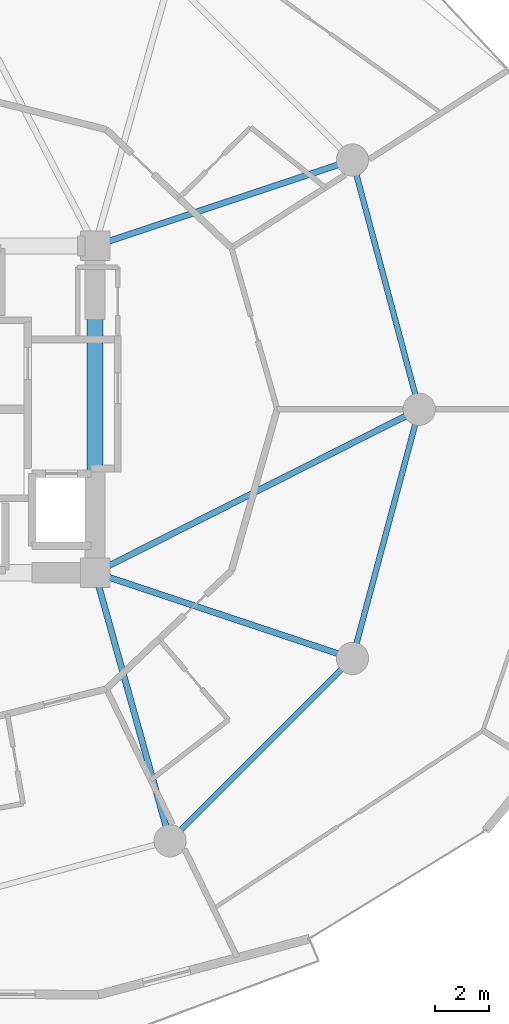
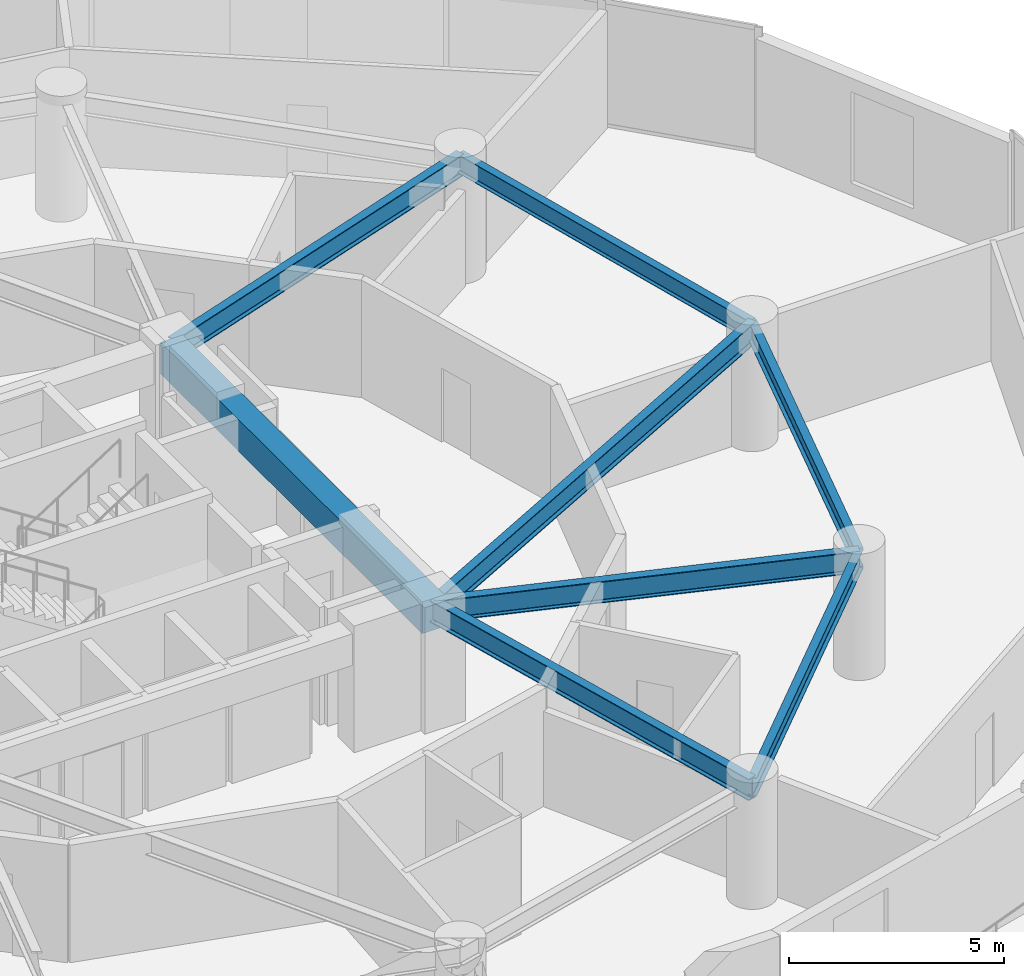
# One storey, part 9 of 23: 8 beams.
"""IFC4 building model written with IfcOpenShell, lengths in metres."""

from ifc_helpers import new_model, si_unit, direction, frame, origin, origin_2d, place, context, subcontext, project, spatial, rectangle, i_section, extrude, material, material_profile, profile_set, type_object, element, save


model = new_model("IFC4")

# Units and contexts
model_context = context("Model", 3, precision=1e-05, world=origin(), true_north=direction((0.0, 1.0)))
body_context = subcontext(model_context, "Body", "Model", "MODEL_VIEW")
ifc_project = project(units=[si_unit("LENGTHUNIT", "METRE"), si_unit("AREAUNIT", "SQUARE_METRE"), si_unit("VOLUMEUNIT", "CUBIC_METRE"), si_unit("PLANEANGLEUNIT", "RADIAN"), si_unit("MASSUNIT", "GRAM", prefix="KILO")], contexts=[model_context])

# Site, building, storey
site_placement = place(None, origin())
site = spatial("IfcSite", under=ifc_project, at=site_placement, CompositionType="ELEMENT")
building_placement = place(site_placement, origin())
building = spatial("IfcBuilding", under=site, at=building_placement, Name="Solvirekh Grand Hotel", CompositionType="ELEMENT")
storey_placement = place(building_placement, frame((0.0, 0.0, 39.199951171875)))
storey = spatial("IfcBuildingStorey", under=building, at=storey_placement, Name="L08", CompositionType="ELEMENT", Elevation=39.199951171875)

# Beams
ifc_material_1 = material(Name="Concrete C50/60", Category="concrete")
ifc_material_profile_1 = material_profile(ifc_material_1, rectangle(XDim=0.60009765625, YDim=0.89990234375, at=origin_2d()), Name="RC BEAM 600X900")
ifc_profile_set_1 = profile_set([ifc_material_profile_1], Name="Concrete C50/60")
beam_type_1 = type_object("IfcBeamType", Name="Beam_Core_RC900", PredefinedType="BEAM", material=ifc_profile_set_1)
beam_1_placement = place(storey_placement, frame((6.5, -6.10009765625, 2.89013671875), z_axis=(0.0, 1.0, 0.0), x_axis=(-1.0, 0.0, 0.0)))
element("IfcBeam", 1, at=beam_1_placement, inside=storey, type_object=beam_type_1, Name="L08 core coupling ring beam 2", PredefinedType="BEAM", context=body_context, shape_type="SweptSolid", body=[
    extrude(rectangle(XDim=0.60009765625, YDim=0.89990234375, at=origin_2d()), origin(), (0.0, 0.0, 1.0), 12.2001953125),
])
ifc_material_2 = material(Name="Steel S355", Category="steel")
ifc_material_profile_2 = material_profile(ifc_material_2, i_section(OverallWidth=0.22998046875, OverallDepth=0.615966796875, WebThickness=0.013916015625, FlangeThickness=0.02392578125, FilletRadius=0.014892578125, at=origin_2d()), Name="W610X174")
ifc_profile_set_2 = profile_set([ifc_material_profile_2], Name="Steel S355")
beam_type_2 = type_object("IfcBeamType", Name="Beam_Primary_W610H", PredefinedType="BEAM", material=ifc_profile_set_2)
beam_2_placement = place(storey_placement, frame((6.5, -6.10009765625, 3.031982421875), z_axis=(0.892944939011, 0.450165898191, 0.0), x_axis=(-0.450165898191, 0.892944939011, 0.0)))
element("IfcBeam", 2, at=beam_2_placement, inside=storey, type_object=beam_type_2, Name="L08 radial floor beam R01", PredefinedType="BEAM", context=body_context, shape_type="SweptSolid", body=[
    extrude(i_section(OverallWidth=0.22998046875, OverallDepth=0.615966796875, WebThickness=0.013916015625, FlangeThickness=0.02392578125, FilletRadius=0.014892578125, at=origin_2d()), origin(), (0.0, 0.0, 1.0), 13.55078125),
])
beam_3_placement = place(storey_placement, frame((6.5, 6.10009765625, 3.031982421875), z_axis=(0.948762825819, 0.315989082635, 0.0), x_axis=(-0.315989082635, 0.948762825819, 0.0)))
element("IfcBeam", 3, at=beam_3_placement, inside=storey, type_object=beam_type_2, Name="L08 radial floor beam R02", PredefinedType="BEAM", context=body_context, shape_type="SweptSolid", body=[
    extrude(i_section(OverallWidth=0.22998046875, OverallDepth=0.615966796875, WebThickness=0.013916015625, FlangeThickness=0.02392578125, FilletRadius=0.014892578125, at=origin_2d()), origin(), (0.0, 0.0, 1.0), 10.126708984375),
])
beam_4_placement = place(storey_placement, frame((6.5, -6.10009765625, 3.031982421875), z_axis=(0.269439084681, -0.963017434757, 0.0), x_axis=(0.963017434757, 0.269439084681, 0.0)))
element("IfcBeam", 4, at=beam_4_placement, inside=storey, type_object=beam_type_2, Name="L08 radial floor beam R11", PredefinedType="BEAM", context=body_context, shape_type="SweptSolid", body=[
    extrude(i_section(OverallWidth=0.22998046875, OverallDepth=0.615966796875, WebThickness=0.013916015625, FlangeThickness=0.02392578125, FilletRadius=0.014892578125, at=origin_2d()), origin(), (0.0, 0.0, 1.0), 10.39208984375),
])
beam_5_placement = place(storey_placement, frame((6.5, -6.10009765625, 3.031982421875), z_axis=(0.948762825819, -0.315989082635, 0.0), x_axis=(0.315989082635, 0.948762825819, 0.0)))
element("IfcBeam", 5, at=beam_5_placement, inside=storey, type_object=beam_type_2, Name="L08 radial floor beam R12", PredefinedType="BEAM", context=body_context, shape_type="SweptSolid", body=[
    extrude(i_section(OverallWidth=0.22998046875, OverallDepth=0.615966796875, WebThickness=0.013916015625, FlangeThickness=0.02392578125, FilletRadius=0.014892578125, at=origin_2d()), origin(), (0.0, 0.0, 1.0), 10.126708984375),
])
ifc_material_profile_3 = material_profile(ifc_material_2, i_section(OverallWidth=0.208984375, OverallDepth=0.532958984375, WebThickness=0.010009765625, FlangeThickness=0.014892578125, FilletRadius=0.013916015625, at=origin_2d()), Name="W530X92")
ifc_profile_set_3 = profile_set([ifc_material_profile_3], Name="Steel S355")
beam_type_3 = type_object("IfcBeamType", Name="Spandrel_Ring_W530", PredefinedType="SPANDREL", material=ifc_profile_set_3)
beam_6_placement = place(storey_placement, frame((18.60009765625, 0.0, 3.072998046875), z_axis=(-0.258842973314, 0.965919414426, 0.0), x_axis=(-0.965919414426, -0.258842973314, 0.0)))
element("IfcBeam", 6, at=beam_6_placement, inside=storey, type_object=beam_type_3, Name="L08 perimeter spandrel beam 1", PredefinedType="SPANDREL", context=body_context, shape_type="SweptSolid", body=[
    extrude(i_section(OverallWidth=0.208984375, OverallDepth=0.532958984375, WebThickness=0.010009765625, FlangeThickness=0.014892578125, FilletRadius=0.013916015625, at=origin_2d()), origin(), (0.0, 0.0, 1.0), 9.628173828125),
])
beam_7_placement = place(storey_placement, frame((9.300048828125, -16.10791015625, 3.072998046875), z_axis=(0.707106781187, 0.707106781187, 0.0), x_axis=(-0.707106781187, 0.707106781187, 0.0)))
element("IfcBeam", 7, at=beam_7_placement, inside=storey, type_object=beam_type_3, Name="L08 perimeter spandrel beam 11", PredefinedType="SPANDREL", context=body_context, shape_type="SweptSolid", body=[
    extrude(i_section(OverallWidth=0.208984375, OverallDepth=0.532958984375, WebThickness=0.010009765625, FlangeThickness=0.014892578125, FilletRadius=0.013916015625, at=origin_2d()), origin(), (0.0, 0.0, 1.0), 9.627685546875),
])
beam_8_placement = place(storey_placement, frame((16.10791015625, -9.300048828125, 3.072998046875), z_axis=(0.258842973314, 0.965919414426, 0.0), x_axis=(-0.965919414426, 0.258842973314, 0.0)))
element("IfcBeam", 8, at=beam_8_placement, inside=storey, type_object=beam_type_3, Name="L08 perimeter spandrel beam 12", PredefinedType="SPANDREL", context=body_context, shape_type="SweptSolid", body=[
    extrude(i_section(OverallWidth=0.208984375, OverallDepth=0.532958984375, WebThickness=0.010009765625, FlangeThickness=0.014892578125, FilletRadius=0.013916015625, at=origin_2d()), origin(), (0.0, 0.0, 1.0), 9.628173828125),
])

save(model, "model.ifc")
